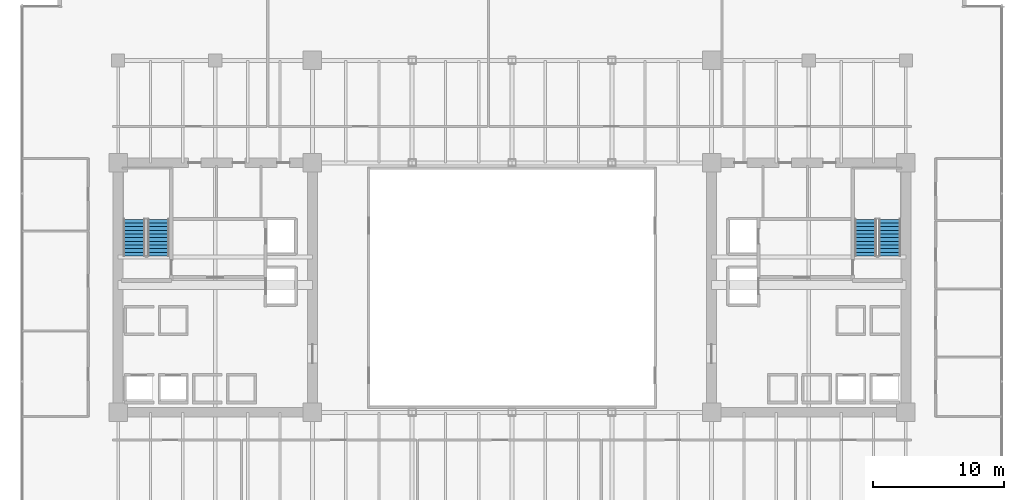
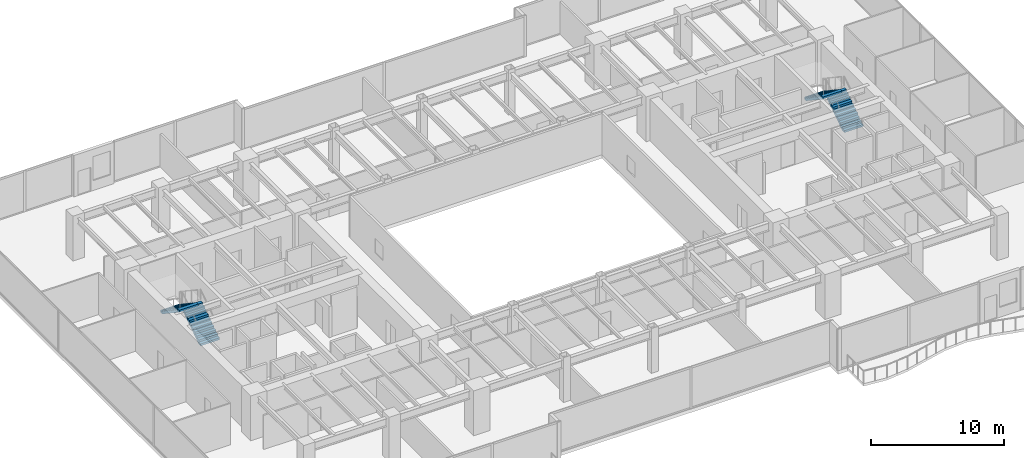
# One storey, part 28 of 31: 4 stair flights, 2 elements without a shape of their own.
"""IFC4 building model written with IfcOpenShell, lengths in metres."""

from ifc_helpers import new_model, si_unit, direction, frame, origin, place, context, subcontext, project, spatial, polyline, outline, extrude, source, transform, mapped, material, type_object, type_shapes, element, aggregate, save


model = new_model("IFC4")

# Units and contexts
model_context = context("Model", 3, precision=1e-05, world=origin(), true_north=direction((0.0, 1.0)))
body_context = subcontext(model_context, "Body", "Model", "MODEL_VIEW")
ifc_project = project(units=[si_unit("LENGTHUNIT", "METRE"), si_unit("AREAUNIT", "SQUARE_METRE"), si_unit("VOLUMEUNIT", "CUBIC_METRE"), si_unit("PLANEANGLEUNIT", "RADIAN"), si_unit("MASSUNIT", "GRAM", prefix="KILO")], contexts=[model_context])

# Site, building, storey
site_placement = place(None, origin())
site = spatial("IfcSite", under=ifc_project, at=site_placement, CompositionType="ELEMENT")
building_placement = place(site_placement, origin())
building = spatial("IfcBuilding", under=site, at=building_placement, Name="Haelvirn Gate Laboratories", CompositionType="ELEMENT")
storey_placement = place(building_placement, frame((0.0, 0.0, 62.10009765625)))
storey = spatial("IfcBuildingStorey", under=building, at=storey_placement, Name="L15", CompositionType="ELEMENT", Elevation=62.10009765625)

# Stair, stair flights
ifc_material = material(Name="Concrete C40/50", Category="concrete")
stair_type = type_object("IfcStairType", Name="ST-DOG-1650-R22", PredefinedType="HALF_TURN_STAIR", material=ifc_material)
stair_1_placement = place(storey_placement, origin())
stair_1 = element("IfcStair", 1, at=stair_1_placement, inside=storey, type_object=stair_type, Name="L15 Escape Stair ST1", PredefinedType="HALF_TURN_STAIR")
stair_flight_type = type_object("IfcStairFlightType", Name="STF-1650-R11", PredefinedType="STRAIGHT", material=ifc_material)
shared_shape = source(origin(), body_context, "Body", "SweptSolid", [
    extrude(outline(polyline([(0.0, 0.0), (0.0, 0.186279296875), (0.280029296875, 0.186279296875), (0.280029296875, 0.372802734375), (0.56005859375, 0.372802734375), (0.56005859375, 0.55908203125), (0.840087890625, 0.55908203125), (0.840087890625, 0.745361328125), (1.1201171875, 0.745361328125), (1.1201171875, 0.931884765625), (1.39990234375, 0.931884765625), (1.39990234375, 1.1181640625), (1.679931640625, 1.1181640625), (1.679931640625, 1.304443359375), (1.9599609375, 1.304443359375), (1.9599609375, 1.490966796875), (2.239990234375, 1.490966796875), (2.239990234375, 1.67724609375), (2.52001953125, 1.67724609375), (2.52001953125, 1.863525390625), (2.800048828125, 1.863525390625), (2.800048828125, 2.050048828125), (2.800048828125, 1.671630859375), (0.28857421875, 0.0), (0.0, 0.0)])), frame((0.0, 0.824951171875, 0.0), z_axis=(0.0, -1.0, 0.0), x_axis=(1.0, 0.0, 0.0)), (0.0, 0.0, 1.0), 1.64990234375),
])
type_shapes(stair_flight_type, [shared_shape])
stair_flight_1_placement = place(storey_placement, frame((10.47509765625, 26.699951171875, 0.0), z_axis=(0.0, 0.0, 1.0), x_axis=(0.0, 1.0, 0.0)))
stair_flight_1 = element("IfcStairFlight", 2, at=stair_flight_1_placement, type_object=stair_flight_type, Name="ST1 flight 1", NumberOfRisers=11, NumberOfTreads=10, PredefinedType="STRAIGHT", RiserHeight=0.186363636, TreadLength=0.28, context=body_context, shape_type="MappedRepresentation", body=[
    mapped(shared_shape, transform((0.0, 0.0, 0.0), scale=1.0)),
])
stair_flight_2_placement = place(storey_placement, frame((8.625, 29.5, 2.0498046875), z_axis=(0.0, 0.0, 1.0), x_axis=(0.0, -1.0, 0.0)))
stair_flight_2 = element("IfcStairFlight", 3, at=stair_flight_2_placement, type_object=stair_flight_type, Name="ST1 flight 2", NumberOfRisers=11, NumberOfTreads=10, PredefinedType="STRAIGHT", RiserHeight=0.186363636, TreadLength=0.28, context=body_context, shape_type="MappedRepresentation", body=[
    mapped(shared_shape, transform((0.0, 0.0, 0.0), scale=1.0)),
])
aggregate(stair_1, [stair_flight_1, stair_flight_2])

stair_2_placement = place(storey_placement, origin())
stair_2 = element("IfcStair", 4, at=stair_2_placement, inside=storey, type_object=stair_type, Name="L15 Escape Stair ST2", PredefinedType="HALF_TURN_STAIR")
stair_flight_3_placement = place(storey_placement, frame((66.175048828125, 26.699951171875, 0.0), z_axis=(0.0, 0.0, 1.0), x_axis=(0.0, 1.0, 0.0)))
stair_flight_3 = element("IfcStairFlight", 5, at=stair_flight_3_placement, type_object=stair_flight_type, Name="ST2 flight 1", NumberOfRisers=11, NumberOfTreads=10, PredefinedType="STRAIGHT", RiserHeight=0.186363636, TreadLength=0.28, context=body_context, shape_type="MappedRepresentation", body=[
    mapped(shared_shape, transform((0.0, 0.0, 0.0), scale=1.0)),
])
stair_flight_4_placement = place(storey_placement, frame((64.324951171875, 29.5, 2.0498046875), z_axis=(0.0, 0.0, 1.0), x_axis=(0.0, -1.0, 0.0)))
stair_flight_4 = element("IfcStairFlight", 6, at=stair_flight_4_placement, type_object=stair_flight_type, Name="ST2 flight 2", NumberOfRisers=11, NumberOfTreads=10, PredefinedType="STRAIGHT", RiserHeight=0.186363636, TreadLength=0.28, context=body_context, shape_type="MappedRepresentation", body=[
    mapped(shared_shape, transform((0.0, 0.0, 0.0), scale=1.0)),
])
aggregate(stair_2, [stair_flight_3, stair_flight_4])

save(model, "model.ifc")
